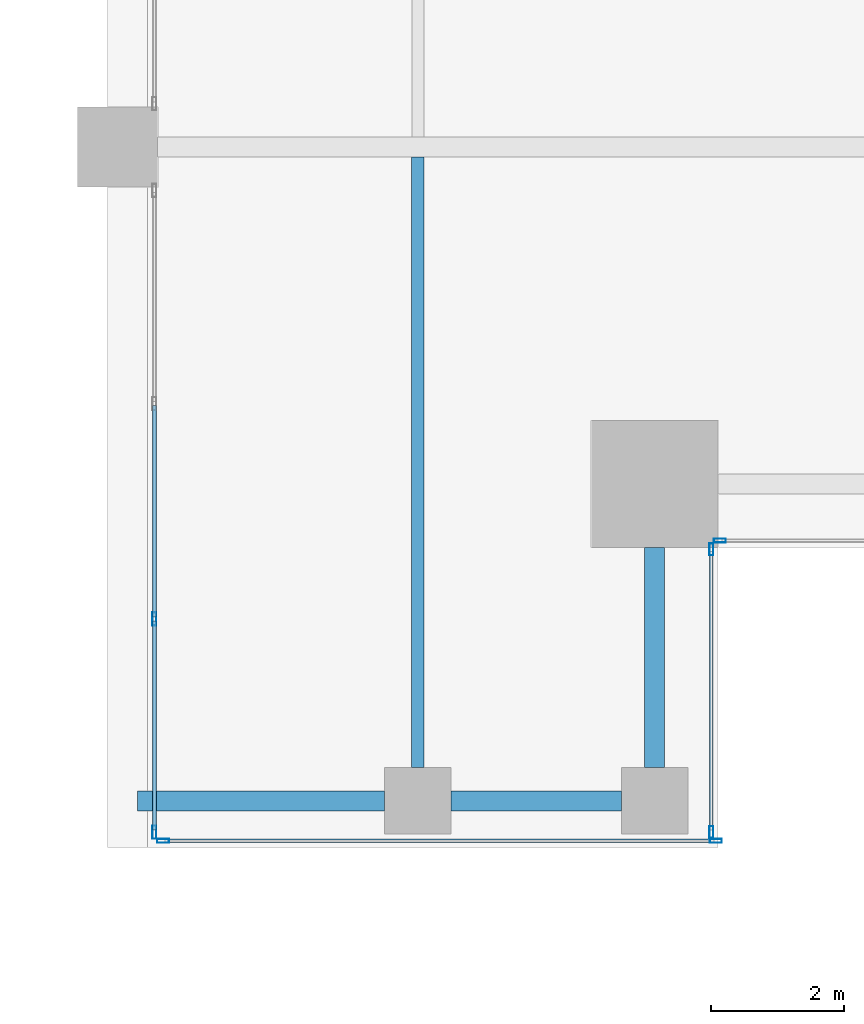
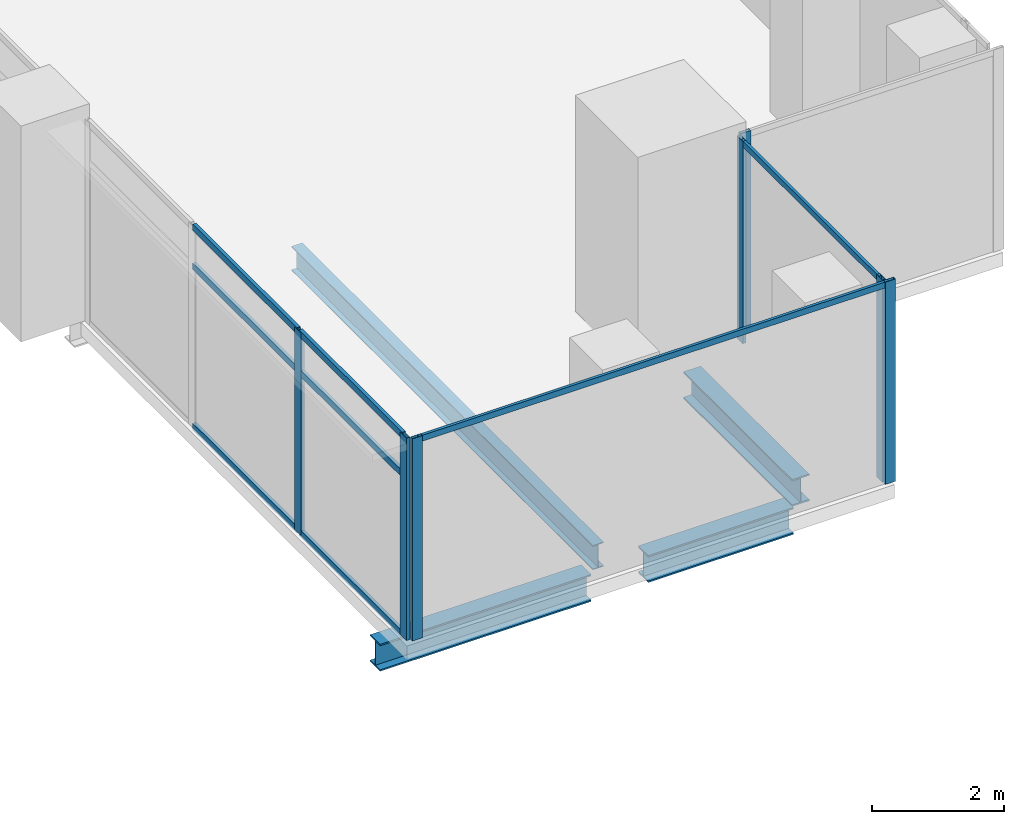
# One storey, part 9 of 37: 15 members, 4 beams, 4 elements without a shape of their own.
"""IFC4 building model written with IfcOpenShell, lengths in metres."""

from ifc_helpers import new_model, si_unit, direction, frame, origin, origin_2d, place, context, subcontext, project, spatial, hollow_rectangle, i_section, extrude, source, transform, mapped, material, material_profile, profile_set, type_object, element, aggregate, save


model = new_model("IFC4")

# Units and contexts
model_context = context("Model", 3, precision=1e-05, world=origin(), true_north=direction((0.0, 1.0)))
body_context = subcontext(model_context, "Body", "Model", "MODEL_VIEW")
ifc_project = project(units=[si_unit("LENGTHUNIT", "METRE"), si_unit("AREAUNIT", "SQUARE_METRE"), si_unit("VOLUMEUNIT", "CUBIC_METRE"), si_unit("PLANEANGLEUNIT", "RADIAN"), si_unit("MASSUNIT", "GRAM", prefix="KILO")], contexts=[model_context])

# Site, building, storey
site_placement = place(None, origin())
site = spatial("IfcSite", under=ifc_project, at=site_placement, CompositionType="ELEMENT")
building_placement = place(site_placement, origin())
building = spatial("IfcBuilding", under=site, at=building_placement, Name="Khomas Fold Tower", CompositionType="ELEMENT")
storey_placement = place(building_placement, frame((0.0, 0.0, 168.699951171875)))
storey = spatial("IfcBuildingStorey", under=building, at=storey_placement, Name="L36", CompositionType="ELEMENT", Elevation=168.699951171875)

# Beams
ifc_material_1 = material(Name="Steel S355", Category="steel")
ifc_material_profile_1 = material_profile(ifc_material_1, i_section(OverallWidth=0.300048828125, OverallDepth=0.5, WebThickness=0.014404296875, FlangeThickness=0.028076171875, at=origin_2d()), Name="HE 500 B")
ifc_profile_set_1 = profile_set([ifc_material_profile_1], Name="Steel S355")
beam_type_1 = type_object("IfcBeamType", Name="HE 500 B spandrel SB3", PredefinedType="SPANDREL", material=ifc_profile_set_1)
shared_shape_1 = source(origin(), body_context, "Body", "SweptSolid", [
    extrude(i_section(OverallWidth=0.300048828125, OverallDepth=0.5, WebThickness=0.014404296875, FlangeThickness=0.028076171875, at=origin_2d()), origin(), (0.0, 0.0, 1.0), 2.550048828125),
])
beam_1_placement = place(storey_placement, frame((42.5, 3.699951171875, -0.5), z_axis=(1.0, 0.0, 0.0), x_axis=(0.0, 1.0, 0.0)))
element("IfcBeam", 1, at=beam_1_placement, inside=storey, type_object=beam_type_1, Name="SB3", PredefinedType="SPANDREL", context=body_context, shape_type="MappedRepresentation", body=[
    mapped(shared_shape_1, transform((0.0, 0.0, 0.0))),
])
shared_shape_2 = source(origin(), body_context, "Body", "SweptSolid", [
    extrude(i_section(OverallWidth=0.300048828125, OverallDepth=0.5, WebThickness=0.014404296875, FlangeThickness=0.028076171875, at=origin_2d()), origin(), (0.0, 0.0, 1.0), 3.699951171875),
])
beam_2_placement = place(storey_placement, frame((37.800048828125, 3.699951171875, -0.5), z_axis=(1.0, 0.0, 0.0), x_axis=(0.0, 1.0, 0.0)))
element("IfcBeam", 2, at=beam_2_placement, inside=storey, type_object=beam_type_1, Name="SB3", PredefinedType="SPANDREL", context=body_context, shape_type="MappedRepresentation", body=[
    mapped(shared_shape_2, transform((0.0, 0.0, 0.0))),
])
shared_shape_3 = source(origin(), body_context, "Body", "SweptSolid", [
    extrude(i_section(OverallWidth=0.300048828125, OverallDepth=0.5, WebThickness=0.014404296875, FlangeThickness=0.028076171875, at=origin_2d()), origin(), (0.0, 0.0, 1.0), 3.300048828125),
])
beam_3_placement = place(storey_placement, frame((45.550048828125, 4.199951171875, -0.5), z_axis=(0.0, 1.0, 0.0), x_axis=(-1.0, 0.0, 0.0)))
element("IfcBeam", 3, at=beam_3_placement, inside=storey, type_object=beam_type_1, Name="SB3", PredefinedType="SPANDREL", context=body_context, shape_type="MappedRepresentation", body=[
    mapped(shared_shape_3, transform((0.0, 0.0, 0.0))),
])
ifc_material_2 = material(Name="Steel S355", Category="steel")
ifc_material_profile_2 = material_profile(ifc_material_2, i_section(OverallWidth=0.18994140625, OverallDepth=0.449951171875, WebThickness=0.009521484375, FlangeThickness=0.0146484375, at=origin_2d()), Name="IPE 450")
ifc_profile_set_2 = profile_set([ifc_material_profile_2], Name="Steel S355")
beam_type_2 = type_object("IfcBeamType", Name="IPE 450 beam JB4", PredefinedType="BEAM", material=ifc_profile_set_2)
shared_shape_4 = source(origin(), body_context, "Body", "SweptSolid", [
    extrude(i_section(OverallWidth=0.18994140625, OverallDepth=0.449951171875, WebThickness=0.009521484375, FlangeThickness=0.0146484375, at=origin_2d()), origin(), (0.0, 0.0, 1.0), 9.150146484375),
])
beam_4_placement = place(storey_placement, frame((42.0, 4.199951171875, -0.474853515625), z_axis=(0.0, 1.0, 0.0), x_axis=(-1.0, 0.0, 0.0)))
element("IfcBeam", 4, at=beam_4_placement, inside=storey, type_object=beam_type_2, Name="JB4", PredefinedType="BEAM", context=body_context, shape_type="MappedRepresentation", body=[
    mapped(shared_shape_4, transform((0.0, 0.0, 0.0))),
])

# Curtain wall, members
ifc_material_3 = material(Name="Aluminium framed double glazing", Category="aluminium")
curtain_wall_type_1 = type_object("IfcCurtainWallType", Name="SK-Unitised clear-glass wall, office floors CW2", PredefinedType="NOTDEFINED", material=ifc_material_3)
curtain_wall_1_placement = place(storey_placement, origin())
curtain_wall_1 = element("IfcCurtainWall", 5, at=curtain_wall_1_placement, inside=storey, type_object=curtain_wall_type_1, Name="CW2 run L36 05-0", PredefinedType="NOTDEFINED")
ifc_material_4 = material(Name="Aluminium", Category="aluminium")
ifc_material_profile_3 = material_profile(ifc_material_4, hollow_rectangle(XDim=0.06005859375, YDim=0.179931640625, WallThickness=0.00390625, at=origin_2d()), Name="SK-Unitised clear-glass wall, office floors mullion CW2-M")
ifc_profile_set_3 = profile_set([ifc_material_profile_3], Name="Aluminium")
member_type_1 = type_object("IfcMemberType", Name="SK-Unitised clear-glass wall, office floors mullion CW2-M", PredefinedType="MULLION", material=ifc_profile_set_3)
shared_shape_5 = source(origin(), body_context, "Body", "SweptSolid", [
    extrude(hollow_rectangle(XDim=0.06005859375, YDim=0.179931640625, WallThickness=0.00390625, at=origin_2d()), origin(), (0.0, 0.0, 1.0), 3.75),
])
member_1_placement = place(storey_placement, frame((38.179931640625, 3.10009765625, 0.0), z_axis=(0.0, 0.0, 1.0), x_axis=(0.0, 1.0, 0.0)))
member_1 = element("IfcMember", 6, at=member_1_placement, type_object=member_type_1, Name="CW2 mullion 1", PredefinedType="MULLION", context=body_context, shape_type="MappedRepresentation", body=[
    mapped(shared_shape_5, transform((0.0, 0.0, 0.0))),
])
member_2_placement = place(storey_placement, frame((46.469970703125, 3.10009765625, 0.0), z_axis=(0.0, 0.0, 1.0), x_axis=(0.0, 1.0, 0.0)))
member_2 = element("IfcMember", 7, at=member_2_placement, type_object=member_type_1, Name="CW2 mullion 2", PredefinedType="MULLION", context=body_context, shape_type="MappedRepresentation", body=[
    mapped(shared_shape_5, transform((0.0, 0.0, 0.0))),
])

curtain_wall_2_placement = place(storey_placement, origin())
curtain_wall_2 = element("IfcCurtainWall", 8, at=curtain_wall_2_placement, inside=storey, type_object=curtain_wall_type_1, Name="CW2 corner return L36 06", PredefinedType="NOTDEFINED")
member_3_placement = place(storey_placement, frame((46.39990234375, 3.22998046875, 0.0), z_axis=(0.0, 0.0, 1.0), x_axis=(-1.0, 0.0, 0.0)))
member_3 = element("IfcMember", 9, at=member_3_placement, type_object=member_type_1, Name="CW2 mullion 1", PredefinedType="MULLION", context=body_context, shape_type="MappedRepresentation", body=[
    mapped(shared_shape_5, transform((0.0, 0.0, 0.0))),
])
member_4_placement = place(storey_placement, frame((46.39990234375, 7.469970703125, 0.0), z_axis=(0.0, 0.0, 1.0), x_axis=(-1.0, 0.0, 0.0)))
member_4 = element("IfcMember", 10, at=member_4_placement, type_object=member_type_1, Name="CW2 mullion 2", PredefinedType="MULLION", context=body_context, shape_type="MappedRepresentation", body=[
    mapped(shared_shape_5, transform((0.0, 0.0, 0.0))),
])

# Curtain wall, member
curtain_wall_3_placement = place(storey_placement, origin())
curtain_wall_3 = element("IfcCurtainWall", 11, at=curtain_wall_3_placement, inside=storey, type_object=curtain_wall_type_1, Name="CW2 corner return L36 07", PredefinedType="NOTDEFINED")
member_5_placement = place(storey_placement, frame((46.530029296875, 7.60009765625, 0.0), z_axis=(0.0, 0.0, 1.0), x_axis=(0.0, 1.0, 0.0)))
member_5 = element("IfcMember", 12, at=member_5_placement, type_object=member_type_1, Name="CW2 mullion 1", PredefinedType="MULLION", context=body_context, shape_type="MappedRepresentation", body=[
    mapped(shared_shape_5, transform((0.0, 0.0, 0.0))),
])
aggregate(curtain_wall_3, [member_5])

# Member
ifc_material_5 = material(Name="Aluminium", Category="aluminium")
ifc_material_profile_4 = material_profile(ifc_material_5, hollow_rectangle(XDim=0.050048828125, YDim=0.110107421875, WallThickness=0.00390625, at=origin_2d()), Name="SK-Unitised clear-glass wall, office floors transom CW2-T")
ifc_profile_set_4 = profile_set([ifc_material_profile_4], Name="Aluminium")
member_type_2 = type_object("IfcMemberType", Name="SK-Unitised clear-glass wall, office floors transom CW2-T", PredefinedType="USERDEFINED", material=ifc_profile_set_4)
shared_shape_6 = source(origin(), body_context, "Body", "SweptSolid", [
    extrude(hollow_rectangle(XDim=0.050048828125, YDim=0.110107421875, WallThickness=0.00390625, at=origin_2d()), origin(), (0.0, 0.0, 1.0), 4.179931640625),
])
member_6_placement = place(storey_placement, frame((46.39990234375, 3.260009765625, 3.695068359375), z_axis=(0.0, 1.0, 0.0), x_axis=(-1.0, 0.0, 0.0)))
member_6 = element("IfcMember", 13, at=member_6_placement, type_object=member_type_2, Name="CW2 transom 1", ObjectType="TRANSOM", PredefinedType="USERDEFINED", context=body_context, shape_type="MappedRepresentation", body=[
    mapped(shared_shape_6, transform((0.0, 0.0, 0.0))),
])

aggregate(curtain_wall_2, [member_3, member_4, member_6])

shared_shape_7 = source(origin(), body_context, "Body", "SweptSolid", [
    extrude(hollow_rectangle(XDim=0.050048828125, YDim=0.110107421875, WallThickness=0.00390625, at=origin_2d()), origin(), (0.0, 0.0, 1.0), 8.22998046875),
])
member_7_placement = place(storey_placement, frame((38.2099609375, 3.10009765625, 3.695068359375), z_axis=(1.0, 0.0, 0.0), x_axis=(0.0, 1.0, 0.0)))
member_7 = element("IfcMember", 14, at=member_7_placement, type_object=member_type_2, Name="CW2 transom 1", ObjectType="TRANSOM", PredefinedType="USERDEFINED", context=body_context, shape_type="MappedRepresentation", body=[
    mapped(shared_shape_7, transform((0.0, 0.0, 0.0))),
])

aggregate(curtain_wall_1, [member_1, member_2, member_7])

# Curtain wall, members
ifc_material_6 = material(Name="Aluminium framed double glazing", Category="aluminium")
curtain_wall_type_2 = type_object("IfcCurtainWallType", Name="Notch glazing GN-CW", PredefinedType="NOTDEFINED", material=ifc_material_6)
curtain_wall_4_placement = place(storey_placement, origin())
curtain_wall_4 = element("IfcCurtainWall", 15, at=curtain_wall_4_placement, inside=storey, type_object=curtain_wall_type_2, Name="Notch glazing run", PredefinedType="NOTDEFINED")
ifc_material_7 = material(Name="Aluminium", Category="aluminium")
ifc_material_profile_5 = material_profile(ifc_material_7, hollow_rectangle(XDim=0.06005859375, YDim=0.199951171875, WallThickness=0.00390625, at=origin_2d()), Name="Notch glazing mullion GN-CW-M")
ifc_profile_set_5 = profile_set([ifc_material_profile_5], Name="Aluminium")
member_type_3 = type_object("IfcMemberType", Name="Notch glazing mullion GN-CW-M", PredefinedType="MULLION", material=ifc_profile_set_5)
shared_shape_8 = source(origin(), body_context, "Body", "SweptSolid", [
    extrude(hollow_rectangle(XDim=0.06005859375, YDim=0.199951171875, WallThickness=0.00390625, at=origin_2d()), origin(), (0.0, 0.0, 1.0), 3.75),
])
member_8_placement = place(storey_placement, frame((38.050048828125, 6.4267578125, 0.0), z_axis=(0.0, 0.0, 1.0), x_axis=(1.0, 0.0, 0.0)))
member_8 = element("IfcMember", 16, at=member_8_placement, type_object=member_type_3, Name="GN-CW mullion 3", PredefinedType="MULLION", context=body_context, shape_type="MappedRepresentation", body=[
    mapped(shared_shape_8, transform((0.0, 0.0, 0.0))),
])
member_9_placement = place(storey_placement, frame((38.050048828125, 3.22998046875, 0.0), z_axis=(0.0, 0.0, 1.0), x_axis=(1.0, 0.0, 0.0)))
member_9 = element("IfcMember", 17, at=member_9_placement, type_object=member_type_3, Name="GN-CW mullion 4", PredefinedType="MULLION", context=body_context, shape_type="MappedRepresentation", body=[
    mapped(shared_shape_8, transform((0.0, 0.0, 0.0))),
])
ifc_material_8 = material(Name="Aluminium", Category="aluminium")
ifc_material_profile_6 = material_profile(ifc_material_8, hollow_rectangle(XDim=0.06005859375, YDim=0.1201171875, WallThickness=0.00390625, at=origin_2d()), Name="Notch glazing transom GN-CW-T")
ifc_profile_set_6 = profile_set([ifc_material_profile_6], Name="Aluminium")
member_type_4 = type_object("IfcMemberType", Name="Notch glazing transom GN-CW-T", PredefinedType="USERDEFINED", material=ifc_profile_set_6)
shared_shape_9 = source(origin(), body_context, "Body", "SweptSolid", [
    extrude(hollow_rectangle(XDim=0.06005859375, YDim=0.1201171875, WallThickness=0.00390625, at=origin_2d()), origin(), (0.0, 0.0, 1.0), 3.13671875),
])
member_10_placement = place(storey_placement, frame((38.050048828125, 6.396728515625, 0.030029296875), z_axis=(0.0, -1.0, 0.0), x_axis=(1.0, 0.0, 0.0)))
member_10 = element("IfcMember", 18, at=member_10_placement, type_object=member_type_4, Name="GN-CW transom 3.1", ObjectType="TRANSOM", PredefinedType="USERDEFINED", context=body_context, shape_type="MappedRepresentation", body=[
    mapped(shared_shape_9, transform((0.0, 0.0, 0.0))),
])
member_11_placement = place(storey_placement, frame((38.050048828125, 6.396728515625, 3.0), z_axis=(0.0, -1.0, 0.0), x_axis=(1.0, 0.0, 0.0)))
member_11 = element("IfcMember", 19, at=member_11_placement, type_object=member_type_4, Name="GN-CW transom 3.2", ObjectType="TRANSOM", PredefinedType="USERDEFINED", context=body_context, shape_type="MappedRepresentation", body=[
    mapped(shared_shape_9, transform((0.0, 0.0, 0.0))),
])
member_12_placement = place(storey_placement, frame((38.050048828125, 6.396728515625, 3.719970703125), z_axis=(0.0, -1.0, 0.0), x_axis=(1.0, 0.0, 0.0)))
member_12 = element("IfcMember", 20, at=member_12_placement, type_object=member_type_4, Name="GN-CW transom 3.3", ObjectType="TRANSOM", PredefinedType="USERDEFINED", context=body_context, shape_type="MappedRepresentation", body=[
    mapped(shared_shape_9, transform((0.0, 0.0, 0.0))),
])
shared_shape_10 = source(origin(), body_context, "Body", "SweptSolid", [
    extrude(hollow_rectangle(XDim=0.06005859375, YDim=0.1201171875, WallThickness=0.00390625, at=origin_2d()), origin(), (0.0, 0.0, 1.0), 3.16650390625),
])
member_13_placement = place(storey_placement, frame((38.050048828125, 9.623291015625, 0.030029296875), z_axis=(0.0, -1.0, 0.0), x_axis=(1.0, 0.0, 0.0)))
member_13 = element("IfcMember", 21, at=member_13_placement, type_object=member_type_4, Name="GN-CW transom 2.1", ObjectType="TRANSOM", PredefinedType="USERDEFINED", context=body_context, shape_type="MappedRepresentation", body=[
    mapped(shared_shape_10, transform((0.0, 0.0, 0.0))),
])
member_14_placement = place(storey_placement, frame((38.050048828125, 9.623291015625, 3.0), z_axis=(0.0, -1.0, 0.0), x_axis=(1.0, 0.0, 0.0)))
member_14 = element("IfcMember", 22, at=member_14_placement, type_object=member_type_4, Name="GN-CW transom 2.2", ObjectType="TRANSOM", PredefinedType="USERDEFINED", context=body_context, shape_type="MappedRepresentation", body=[
    mapped(shared_shape_10, transform((0.0, 0.0, 0.0))),
])
member_15_placement = place(storey_placement, frame((38.050048828125, 9.623291015625, 3.719970703125), z_axis=(0.0, -1.0, 0.0), x_axis=(1.0, 0.0, 0.0)))
member_15 = element("IfcMember", 23, at=member_15_placement, type_object=member_type_4, Name="GN-CW transom 2.3", ObjectType="TRANSOM", PredefinedType="USERDEFINED", context=body_context, shape_type="MappedRepresentation", body=[
    mapped(shared_shape_10, transform((0.0, 0.0, 0.0))),
])
aggregate(curtain_wall_4, [member_8, member_9, member_13, member_14, member_15, member_10, member_11, member_12])

save(model, "model.ifc")
